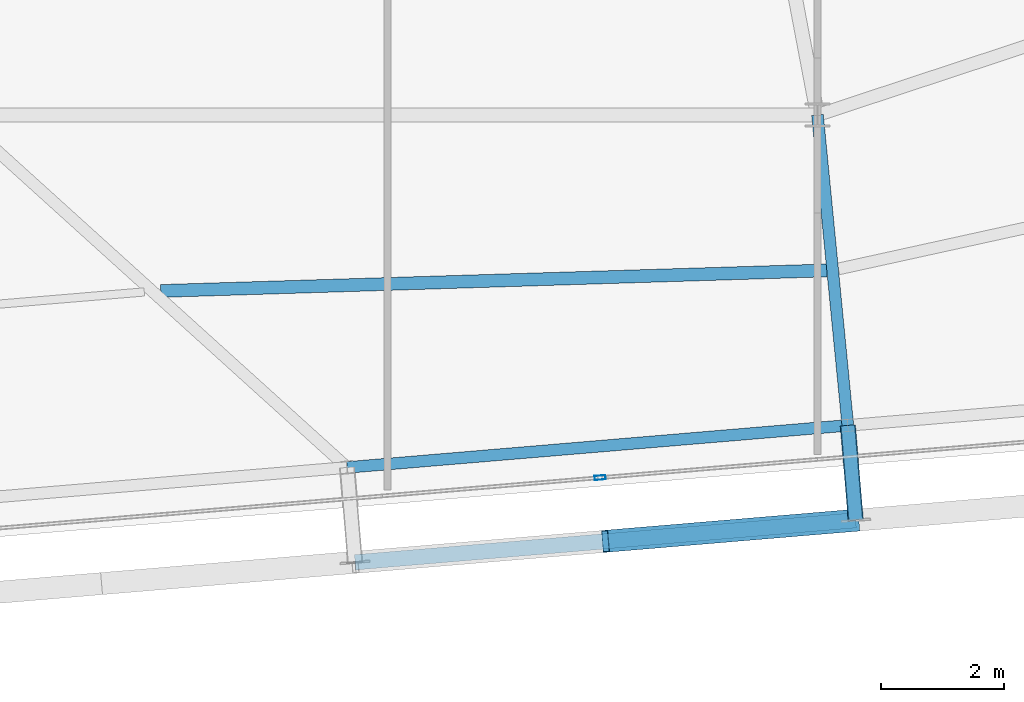
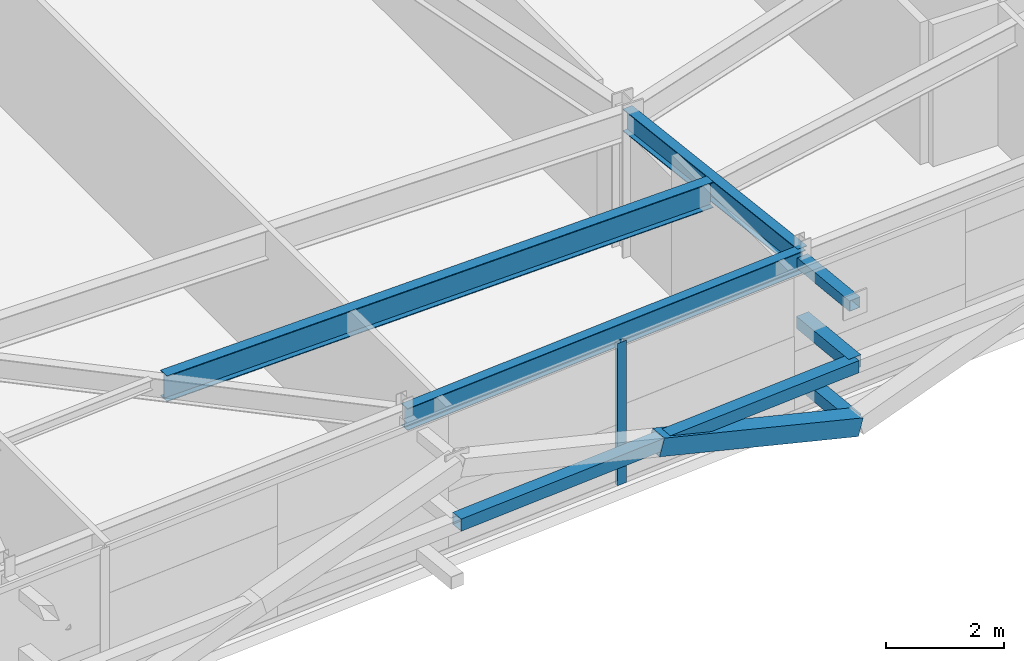
# One storey, part 10 of 37: 6 members, 3 beams, 1 element without a shape of its own.
"""IFC4 building model written with IfcOpenShell, lengths in metres."""

from ifc_helpers import new_model, si_unit, direction, frame, origin, origin_2d, place, context, subcontext, project, spatial, hollow_rectangle, i_section, extrude, source, transform, mapped, material, layer, layer_set, material_profile, profile_set, type_object, element, aggregate, save


model = new_model("IFC4")

# Units and contexts
model_context = context("Model", 3, precision=1e-05, world=origin(), true_north=direction((0.0, 1.0)))
body_context = subcontext(model_context, "Body", "Model", "MODEL_VIEW")
ifc_project = project(units=[si_unit("LENGTHUNIT", "METRE"), si_unit("AREAUNIT", "SQUARE_METRE"), si_unit("VOLUMEUNIT", "CUBIC_METRE"), si_unit("PLANEANGLEUNIT", "RADIAN"), si_unit("MASSUNIT", "GRAM", prefix="KILO")], contexts=[model_context])

# Site, building, storey
site_placement = place(None, origin())
site = spatial("IfcSite", under=ifc_project, at=site_placement, CompositionType="ELEMENT")
building_placement = place(site_placement, origin())
building = spatial("IfcBuilding", under=site, at=building_placement, Name="Taldren Reach Tower", CompositionType="ELEMENT")
storey_placement = place(building_placement, frame((0.0, 0.0, 182.0)))
storey = spatial("IfcBuildingStorey", under=building, at=storey_placement, Name="L55", CompositionType="ELEMENT", Elevation=182.0)

# Members
ifc_material_1 = material(Name="Steel Gr 350 (C350L0)", Category="steel")
ifc_material_profile_1 = material_profile(ifc_material_1, hollow_rectangle(XDim=0.25, YDim=0.25, WallThickness=0.010009765625, at=origin_2d()), Name="250x250x10.0SHS")
ifc_profile_set_1 = profile_set([ifc_material_profile_1], Name="Steel Gr 350 (C350L0)")
member_type_1 = type_object("IfcMemberType", Name="MB-POST250", PredefinedType="POST", material=ifc_profile_set_1)
shared_shape_1 = source(origin(), body_context, "Body", "SweptSolid", [
    extrude(hollow_rectangle(XDim=0.25, YDim=0.25, WallThickness=0.010009765625, at=origin_2d()), origin(), (0.0, 0.0, 1.0), 1.5498046875),
])
for number, where, z_axis, x_axis, name in (
    (1, (42.49365234375, 4.1474609375, 0.219970703125), (0.083645141657, -0.996495604746, 0.0), (0.996495604746, 0.083645141657, 0.0), "Exoskeleton base diaphragm tie strut B4-S4 L55"),
    (2, (42.49365234375, 4.1474609375, 1.43505859375), (0.083645141657, -0.996495604746, 0.0), (0.996495604746, 0.083645141657, 0.0), "Exoskeleton mid-tier diaphragm tie B4-S4 L55"),
):
    element("IfcMember", number, at=place(storey_placement, frame(where, z_axis=z_axis, x_axis=x_axis)), inside=storey, type_object=member_type_1, Name=name, PredefinedType="POST", context=body_context, shape_type="MappedRepresentation", body=[
        mapped(shared_shape_1, transform((0.0, 0.0, 0.0), scale=1.0)),
    ])

# Beams
ifc_material_2 = material(Name="Steel Gr 350 (350PLUS)", Category="steel")
ifc_material_profile_2 = material_profile(ifc_material_2, i_section(OverallWidth=0.18994140625, OverallDepth=0.4541015625, WebThickness=0.008544921875, FlangeThickness=0.0126953125, at=origin_2d()), Name="460UB67.1")
ifc_profile_set_2 = profile_set([ifc_material_profile_2], Name="Steel Gr 350 (350PLUS)")
beam_type_1 = type_object("IfcBeamType", Name="SP-UB460B", PredefinedType="SPANDREL", material=ifc_profile_set_2)
shared_shape_2 = source(origin(), body_context, "Body", "SweptSolid", [
    extrude(i_section(OverallWidth=0.18994140625, OverallDepth=0.4541015625, WebThickness=0.008544921875, FlangeThickness=0.0126953125, at=origin_2d()), origin(), (0.0, 0.0, 1.0), 8.18017578125),
])
beam_1_placement = place(storey_placement, frame((34.34228515625, 3.462890625, 2.702880859375), z_axis=(0.996492034688, 0.083687662192, 0.0), x_axis=(-0.083687662192, 0.996492034688, 0.0)))
element("IfcBeam", 3, at=beam_1_placement, inside=storey, type_object=beam_type_1, Name="Perimeter spandrel B4 S3-S4 L55", PredefinedType="SPANDREL", context=body_context, shape_type="MappedRepresentation", body=[
    mapped(shared_shape_2, transform((0.0, 0.0, 0.0), scale=1.0)),
])
ifc_material_profile_3 = material_profile(ifc_material_2, i_section(OverallWidth=0.19091796875, OverallDepth=0.4599609375, WebThickness=0.010009765625, FlangeThickness=0.01611328125, at=origin_2d()), Name="460UB82.1")
ifc_profile_set_3 = profile_set([ifc_material_profile_3], Name="Steel Gr 350 (350PLUS)")
beam_type_2 = type_object("IfcBeamType", Name="BM-UB460A", PredefinedType="BEAM", material=ifc_profile_set_3)
shared_shape_3 = source(origin(), body_context, "Body", "SweptSolid", [
    extrude(i_section(OverallWidth=0.19091796875, OverallDepth=0.4599609375, WebThickness=0.010009765625, FlangeThickness=0.01611328125, at=origin_2d()), origin(), (0.0, 0.0, 1.0), 5.07666015625),
])
beam_2_placement = place(storey_placement, frame((42.0, 9.199951171875, 2.699951171875), z_axis=(0.097241716644, -0.995260794236, 0.0), x_axis=(0.995260794236, 0.097241716644, 0.0)))
element("IfcBeam", 4, at=beam_2_placement, inside=storey, type_object=beam_type_2, Name="Primary floor girder B4-S4 L55", PredefinedType="BEAM", context=body_context, shape_type="MappedRepresentation", body=[
    mapped(shared_shape_3, transform((0.0, 0.0, 0.0), scale=1.0)),
])
ifc_material_profile_4 = material_profile(ifc_material_2, i_section(OverallWidth=0.208984375, OverallDepth=0.532958984375, WebThickness=0.01025390625, FlangeThickness=0.015625, at=origin_2d()), Name="530UB92.4")
ifc_profile_set_4 = profile_set([ifc_material_profile_4], Name="Steel Gr 350 (350PLUS)")
beam_type_3 = type_object("IfcBeamType", Name="BM-UB530A", PredefinedType="BEAM", material=ifc_profile_set_4)
shared_shape_4 = source(origin(), body_context, "Body", "SweptSolid", [
    extrude(i_section(OverallWidth=0.208984375, OverallDepth=0.532958984375, WebThickness=0.01025390625, FlangeThickness=0.015625, at=origin_2d()), origin(), (0.0, 0.0, 1.0), 10.847412109375),
])
beam_3_placement = place(storey_placement, frame((31.308837890625, 6.335693359375, 2.66357421875), z_axis=(0.999522428572, 0.030901695439, 0.0), x_axis=(-0.030901695439, 0.999522428572, 0.0)))
element("IfcBeam", 5, at=beam_3_placement, inside=storey, type_object=beam_type_3, Name="Secondary floor beam B4 J3 L55", PredefinedType="BEAM", context=body_context, shape_type="MappedRepresentation", body=[
    mapped(shared_shape_4, transform((0.0, 0.0, 0.0), scale=1.0)),
])

# Members
ifc_material_3 = material(Name="Steel Gr 450 (C450L0)", Category="steel")
ifc_material_profile_5 = material_profile(ifc_material_3, hollow_rectangle(XDim=0.219970703125, YDim=0.219970703125, WallThickness=0.00830078125, at=origin_2d()), Name="220x220x8.2SHS")
ifc_profile_set_5 = profile_set([ifc_material_profile_5], Name="Steel Gr 450 (C450L0)")
member_type_2 = type_object("IfcMemberType", Name="MB-TIE219", PredefinedType="STRUT", material=ifc_profile_set_5)
shared_shape_5 = source(origin(), body_context, "Body", "SweptSolid", [
    extrude(hollow_rectangle(XDim=0.219970703125, YDim=0.219970703125, WallThickness=0.00830078125, at=origin_2d()), origin(), (0.0, 0.0, 1.0), 1.5498046875),
])
member_1_placement = place(storey_placement, frame((42.49365234375, 4.1474609375, 2.64990234375), z_axis=(0.083645141657, -0.996495604746, 0.0), x_axis=(0.996495604746, 0.083645141657, 0.0)))
element("IfcMember", 6, at=member_1_placement, inside=storey, type_object=member_type_2, Name="Exoskeleton diaphragm tie strut B4-S4 L55", PredefinedType="STRUT", context=body_context, shape_type="MappedRepresentation", body=[
    mapped(shared_shape_5, transform((0.0, 0.0, 0.0), scale=1.0)),
])
shared_shape_6 = source(origin(), body_context, "Body", "SweptSolid", [
    extrude(hollow_rectangle(XDim=0.25, YDim=0.25, WallThickness=0.010009765625, at=origin_2d()), origin(), (0.0, 0.0, 1.0), 8.18017578125),
])
member_2_placement = place(storey_placement, frame((34.471923828125, 1.91845703125, 1.43505859375), z_axis=(0.996492034688, 0.083687662192, 0.0), x_axis=(-0.083687662192, 0.996492034688, 0.0)))
element("IfcMember", 7, at=member_2_placement, inside=storey, type_object=member_type_1, Name="Exoskeleton mid-height ring chord B4-S3 L55", PredefinedType="POST", context=body_context, shape_type="MappedRepresentation", body=[
    mapped(shared_shape_6, transform((0.0, 0.0, 0.0), scale=1.0)),
])
ifc_material_profile_6 = material_profile(ifc_material_3, hollow_rectangle(XDim=0.360107421875, YDim=0.360107421875, WallThickness=0.0126953125, at=origin_2d()), Name="360x360x12.7SHS")
ifc_profile_set_6 = profile_set([ifc_material_profile_6], Name="Steel Gr 450 (C450L0)")
member_type_3 = type_object("IfcMemberType", Name="MB-EXO356", PredefinedType="BRACE", material=ifc_profile_set_6)
shared_shape_7 = source(origin(), body_context, "Body", "SweptSolid", [
    extrude(hollow_rectangle(XDim=0.360107421875, YDim=0.360107421875, WallThickness=0.0126953125, at=origin_2d()), origin(), (0.0, 0.0, 1.0), 4.2666015625),
])
member_3_placement = place(storey_placement, frame((42.623291015625, 2.60302734375, 0.219970703125), z_axis=(-0.955229159097, -0.080222312271, 0.284783486572), x_axis=(0.083687662192, -0.996492034688, 0.0)))
element("IfcMember", 8, at=member_3_placement, inside=storey, type_object=member_type_3, Name="Exoskeleton Diagrid Brace B4-S3 L55", PredefinedType="BRACE", context=body_context, shape_type="MappedRepresentation", body=[
    mapped(shared_shape_7, transform((0.0, 0.0, 0.0), scale=1.0)),
])

# Curtain wall, member
ifc_material_4 = material(Name="Aluminium and Low-E Glass Unitised System", Category="aluminium")
ifc_layer = layer(ifc_material_4, 0.159912109375)
ifc_layer_set = layer_set([ifc_layer], Name="Aluminium and Low-E Glass Unitised System")
curtain_wall_type = type_object("IfcCurtainWallType", Name="CW-SYS-5", PredefinedType="NOTDEFINED", material=ifc_layer_set)
curtain_wall_placement = place(storey_placement, origin())
curtain_wall = element("IfcCurtainWall", 9, at=curtain_wall_placement, inside=storey, type_object=curtain_wall_type, Name="Unitised curtain wall CW-L55-S", PredefinedType="NOTDEFINED")
ifc_material_5 = material(Name="Anodised Aluminium 6063-T6", Category="aluminium")
ifc_material_profile_7 = material_profile(ifc_material_5, hollow_rectangle(XDim=0.070068359375, YDim=0.179931640625, WallThickness=0.00390625, at=origin_2d()), Name="ALU-180x70x4RHS")
ifc_profile_set_7 = profile_set([ifc_material_profile_7], Name="Anodised Aluminium 6063-T6")
member_type_4 = type_object("IfcMemberType", Name="CW-MUL-180", PredefinedType="MULLION", material=ifc_profile_set_7)
shared_shape_8 = source(origin(), body_context, "Body", "SweptSolid", [
    extrude(hollow_rectangle(XDim=0.070068359375, YDim=0.179931640625, WallThickness=0.00390625, at=origin_2d()), origin(), (0.0, 0.0, 1.0), 2.929931640625),
])
member_4_placement = place(storey_placement, frame((38.460693359375, 3.297119140625, 0.0), z_axis=(0.0, 0.0, 1.0), x_axis=(-0.083677894865, 0.996492854922, 0.0)))
member_4 = element("IfcMember", 10, at=member_4_placement, type_object=member_type_4, Name="CW-5 mullion 3", PredefinedType="MULLION", context=body_context, shape_type="MappedRepresentation", body=[
    mapped(shared_shape_8, transform((0.0, 0.0, 0.0), scale=1.0)),
])
aggregate(curtain_wall, [member_4])

save(model, "model.ifc")
